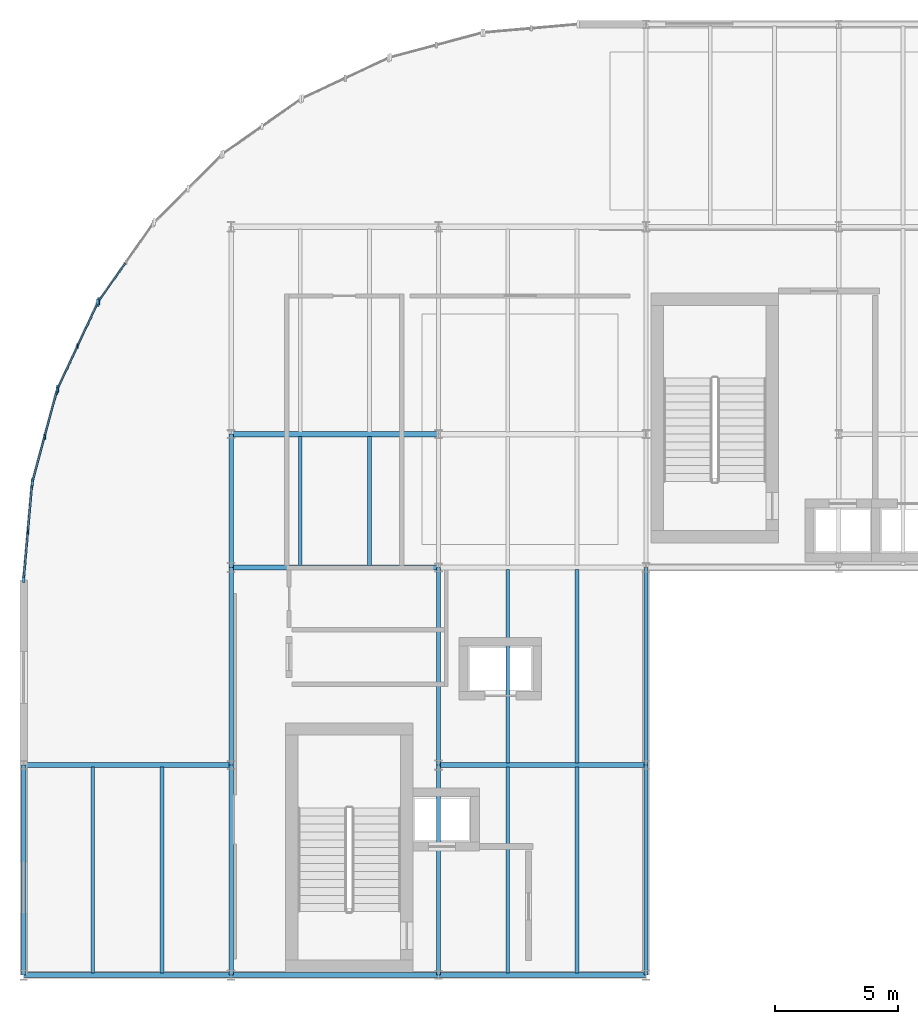
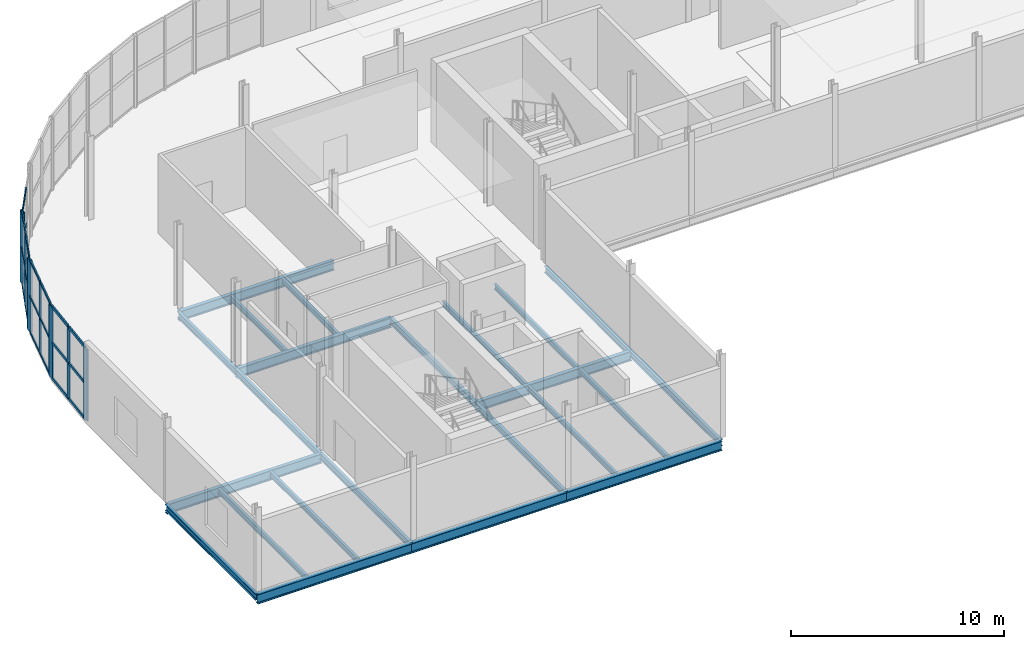
# One storey, part 4 of 15: 31 members, 23 beams, 4 elements without a shape of their own.
"""IFC4 building model written with IfcOpenShell, lengths in metres."""

from ifc_helpers import new_model, si_unit, direction, frame, origin, origin_2d, place, context, subcontext, project, spatial, rectangle, i_section, extrude, material, layer, layer_set, material_profile, profile_set, type_object, element, aggregate, save


model = new_model("IFC4")

# Units and contexts
model_context = context("Model", 3, precision=1e-05, world=origin(), true_north=direction((0.0, 1.0)))
body_context = subcontext(model_context, "Body", "Model", "MODEL_VIEW")
ifc_project = project(units=[si_unit("LENGTHUNIT", "METRE"), si_unit("AREAUNIT", "SQUARE_METRE"), si_unit("VOLUMEUNIT", "CUBIC_METRE"), si_unit("PLANEANGLEUNIT", "RADIAN"), si_unit("MASSUNIT", "GRAM", prefix="KILO")], contexts=[model_context])

# Site, building, storey
site_placement = place(None, origin())
site = spatial("IfcSite", under=ifc_project, at=site_placement, CompositionType="ELEMENT")
building_placement = place(site_placement, origin())
building = spatial("IfcBuilding", under=site, at=building_placement, Name="Sefraquen Railside Congress Hotel", CompositionType="ELEMENT")
storey_placement = place(building_placement, frame((0.0, 0.0, 46.800048828125)))
storey = spatial("IfcBuildingStorey", under=building, at=storey_placement, Name="L11", CompositionType="ELEMENT", Elevation=46.800048828125)

# Beams
ifc_material_1 = material(Name="Steel S355JR", Category="steel")
ifc_material_profile_1 = material_profile(ifc_material_1, i_section(OverallWidth=0.169921875, OverallDepth=0.360107421875, WebThickness=0.008056640625, FlangeThickness=0.0126953125, FilletRadius=0.01806640625, at=origin_2d()), Name="IPE 360")
ifc_profile_set_1 = profile_set([ifc_material_profile_1], Name="Steel S355JR")
beam_type_1 = type_object("IfcBeamType", Name="TB-BM-360", PredefinedType="BEAM", material=ifc_profile_set_1)
for number, where, z_axis, x_axis, name in (
    (1, (0.0, 79.5, -0.43994140625), (0.0, 1.0, 0.0), (-1.0, 0.0, 0.0), "Floor beam BM-L11-2194"),
    (2, (8.39990234375, 79.5, -0.43994140625), (0.0, 1.0, 0.0), (-1.0, 0.0, 0.0), "Floor beam BM-L11-2195"),
):
    element("IfcBeam", number, at=place(storey_placement, frame(where, z_axis=z_axis, x_axis=x_axis)), inside=storey, type_object=beam_type_1, Name=name, PredefinedType="BEAM", context=body_context, shape_type="SweptSolid", body=[
        extrude(i_section(OverallWidth=0.169921875, OverallDepth=0.360107421875, WebThickness=0.008056640625, FlangeThickness=0.0126953125, FilletRadius=0.01806640625, at=origin_2d()), origin(), (0.0, 0.0, 1.0), 8.5),
    ])
beam_1_placement = place(storey_placement, frame((8.39990234375, 88.0, -0.43994140625), z_axis=(0.0, 1.0, 0.0), x_axis=(-1.0, 0.0, 0.0)))
element("IfcBeam", 3, at=beam_1_placement, inside=storey, type_object=beam_type_1, Name="Floor beam BM-L11-2196", PredefinedType="BEAM", context=body_context, shape_type="SweptSolid", body=[
    extrude(i_section(OverallWidth=0.169921875, OverallDepth=0.360107421875, WebThickness=0.008056640625, FlangeThickness=0.0126953125, FilletRadius=0.01806640625, at=origin_2d()), origin(), (0.0, 0.0, 1.0), 8.0),
])
beam_2_placement = place(storey_placement, frame((8.39990234375, 96.0, -0.43994140625), z_axis=(0.0, 1.0, 0.0), x_axis=(-1.0, 0.0, 0.0)))
element("IfcBeam", 4, at=beam_2_placement, inside=storey, type_object=beam_type_1, Name="Floor beam BM-L11-2197", PredefinedType="BEAM", context=body_context, shape_type="SweptSolid", body=[
    extrude(i_section(OverallWidth=0.169921875, OverallDepth=0.360107421875, WebThickness=0.008056640625, FlangeThickness=0.0126953125, FilletRadius=0.01806640625, at=origin_2d()), origin(), (0.0, 0.0, 1.0), 5.39990234375),
])
beam_3_placement = place(storey_placement, frame((16.800048828125, 79.5, -0.43994140625), z_axis=(0.0, 1.0, 0.0), x_axis=(-1.0, 0.0, 0.0)))
element("IfcBeam", 5, at=beam_3_placement, inside=storey, type_object=beam_type_1, Name="Floor beam BM-L11-2199", PredefinedType="BEAM", context=body_context, shape_type="SweptSolid", body=[
    extrude(i_section(OverallWidth=0.169921875, OverallDepth=0.360107421875, WebThickness=0.008056640625, FlangeThickness=0.0126953125, FilletRadius=0.01806640625, at=origin_2d()), origin(), (0.0, 0.0, 1.0), 8.5),
])
beam_4_placement = place(storey_placement, frame((16.800048828125, 88.0, -0.43994140625), z_axis=(0.0, 1.0, 0.0), x_axis=(-1.0, 0.0, 0.0)))
element("IfcBeam", 6, at=beam_4_placement, inside=storey, type_object=beam_type_1, Name="Floor beam BM-L11-2200", PredefinedType="BEAM", context=body_context, shape_type="SweptSolid", body=[
    extrude(i_section(OverallWidth=0.169921875, OverallDepth=0.360107421875, WebThickness=0.008056640625, FlangeThickness=0.0126953125, FilletRadius=0.01806640625, at=origin_2d()), origin(), (0.0, 0.0, 1.0), 8.0),
])
beam_5_placement = place(storey_placement, frame((25.199951171875, 79.5, -0.43994140625), z_axis=(0.0, 1.0, 0.0), x_axis=(-1.0, 0.0, 0.0)))
element("IfcBeam", 7, at=beam_5_placement, inside=storey, type_object=beam_type_1, Name="Floor beam BM-L11-2203", PredefinedType="BEAM", context=body_context, shape_type="SweptSolid", body=[
    extrude(i_section(OverallWidth=0.169921875, OverallDepth=0.360107421875, WebThickness=0.008056640625, FlangeThickness=0.0126953125, FilletRadius=0.01806640625, at=origin_2d()), origin(), (0.0, 0.0, 1.0), 8.5),
])
beam_6_placement = place(storey_placement, frame((25.199951171875, 88.0, -0.43994140625), z_axis=(0.0, 1.0, 0.0), x_axis=(-1.0, 0.0, 0.0)))
element("IfcBeam", 8, at=beam_6_placement, inside=storey, type_object=beam_type_1, Name="Floor beam BM-L11-2204", PredefinedType="BEAM", context=body_context, shape_type="SweptSolid", body=[
    extrude(i_section(OverallWidth=0.169921875, OverallDepth=0.360107421875, WebThickness=0.008056640625, FlangeThickness=0.0126953125, FilletRadius=0.01806640625, at=origin_2d()), origin(), (0.0, 0.0, 1.0), 8.0),
])
ifc_material_profile_2 = material_profile(ifc_material_1, i_section(OverallWidth=0.2099609375, OverallDepth=0.550048828125, WebThickness=0.010986328125, FlangeThickness=0.01708984375, FilletRadius=0.02392578125, at=origin_2d()), Name="IPE 550")
ifc_profile_set_2 = profile_set([ifc_material_profile_2], Name="Steel S355JR")
beam_type_2 = type_object("IfcBeamType", Name="TB-GIR-550", PredefinedType="T_BEAM", material=ifc_profile_set_2)
beam_7_placement = place(storey_placement, frame((0.0, 79.5, -0.53515625), z_axis=(1.0, 0.0, 0.0), x_axis=(0.0, 1.0, 0.0)))
element("IfcBeam", 9, at=beam_7_placement, inside=storey, type_object=beam_type_2, Name="Primary girder BM-L11-2149", PredefinedType="T_BEAM", context=body_context, shape_type="SweptSolid", body=[
    extrude(i_section(OverallWidth=0.2099609375, OverallDepth=0.550048828125, WebThickness=0.010986328125, FlangeThickness=0.01708984375, FilletRadius=0.02392578125, at=origin_2d()), origin(), (0.0, 0.0, 1.0), 8.39990234375),
])
beam_8_placement = place(storey_placement, frame((8.39990234375, 79.5, -0.53515625), z_axis=(1.0, 0.0, 0.0), x_axis=(0.0, 1.0, 0.0)))
element("IfcBeam", 10, at=beam_8_placement, inside=storey, type_object=beam_type_2, Name="Primary girder BM-L11-2150", PredefinedType="T_BEAM", context=body_context, shape_type="SweptSolid", body=[
    extrude(i_section(OverallWidth=0.2099609375, OverallDepth=0.550048828125, WebThickness=0.010986328125, FlangeThickness=0.01708984375, FilletRadius=0.02392578125, at=origin_2d()), origin(), (0.0, 0.0, 1.0), 8.400146484375),
])
for number, where, z_axis, x_axis, name in (
    (11, (16.800048828125, 79.5, -0.53515625), (1.0, 0.0, 0.0), (0.0, 1.0, 0.0), "Primary girder BM-L11-2151"),
    (12, (0.0, 88.0, -0.53515625), (1.0, 0.0, 0.0), (0.0, 1.0, 0.0), "Primary girder BM-L11-2152"),
    (13, (16.800048828125, 88.0, -0.53515625), (1.0, 0.0, 0.0), (0.0, 1.0, 0.0), "Primary girder BM-L11-2153"),
):
    element("IfcBeam", number, at=place(storey_placement, frame(where, z_axis=z_axis, x_axis=x_axis)), inside=storey, type_object=beam_type_2, Name=name, PredefinedType="T_BEAM", context=body_context, shape_type="SweptSolid", body=[
        extrude(i_section(OverallWidth=0.2099609375, OverallDepth=0.550048828125, WebThickness=0.010986328125, FlangeThickness=0.01708984375, FilletRadius=0.02392578125, at=origin_2d()), origin(), (0.0, 0.0, 1.0), 8.39990234375),
    ])
for number, where, z_axis, x_axis, name in (
    (14, (8.39990234375, 96.0, -0.53515625), (1.0, 0.0, 0.0), (0.0, 1.0, 0.0), "Primary girder BM-L11-2154"),
    (15, (8.39990234375, 101.39990234375, -0.53515625), (1.0, 0.0, 0.0), (0.0, 1.0, 0.0), "Primary girder BM-L11-2165"),
):
    element("IfcBeam", number, at=place(storey_placement, frame(where, z_axis=z_axis, x_axis=x_axis)), inside=storey, type_object=beam_type_2, Name=name, PredefinedType="T_BEAM", context=body_context, shape_type="SweptSolid", body=[
        extrude(i_section(OverallWidth=0.2099609375, OverallDepth=0.550048828125, WebThickness=0.010986328125, FlangeThickness=0.01708984375, FilletRadius=0.02392578125, at=origin_2d()), origin(), (0.0, 0.0, 1.0), 8.400146484375),
    ])
ifc_material_profile_3 = material_profile(ifc_material_1, i_section(OverallWidth=0.14990234375, OverallDepth=0.300048828125, WebThickness=0.007080078125, FlangeThickness=0.0107421875, FilletRadius=0.014892578125, at=origin_2d()), Name="IPE 300")
ifc_profile_set_3 = profile_set([ifc_material_profile_3], Name="Steel S355JR")
beam_type_3 = type_object("IfcBeamType", Name="TB-JST-300", PredefinedType="JOIST", material=ifc_profile_set_3)
for number, where, z_axis, x_axis, name in (
    (16, (2.800048828125, 79.5849609375, -0.41015625), (0.0, 1.0, 0.0), (-1.0, 0.0, 0.0), "Composite floor joist BM-L11-J1468"),
    (17, (5.60009765625, 79.5849609375, -0.41015625), (0.0, 1.0, 0.0), (-1.0, 0.0, 0.0), "Composite floor joist BM-L11-J1469"),
):
    element("IfcBeam", number, at=place(storey_placement, frame(where, z_axis=z_axis, x_axis=x_axis)), inside=storey, type_object=beam_type_3, Name=name, PredefinedType="JOIST", context=body_context, shape_type="SweptSolid", body=[
        extrude(i_section(OverallWidth=0.14990234375, OverallDepth=0.300048828125, WebThickness=0.007080078125, FlangeThickness=0.0107421875, FilletRadius=0.014892578125, at=origin_2d()), origin(), (0.0, 0.0, 1.0), 8.330078125),
    ])
for number, where, z_axis, x_axis, name in (
    (18, (11.199951171875, 96.0849609375, -0.41015625), (0.0, 1.0, 0.0), (-1.0, 0.0, 0.0), "Composite floor joist BM-L11-J1470"),
    (19, (14.0, 96.0849609375, -0.41015625), (0.0, 1.0, 0.0), (-1.0, 0.0, 0.0), "Composite floor joist BM-L11-J1471"),
):
    element("IfcBeam", number, at=place(storey_placement, frame(where, z_axis=z_axis, x_axis=x_axis)), inside=storey, type_object=beam_type_3, Name=name, PredefinedType="JOIST", context=body_context, shape_type="SweptSolid", body=[
        extrude(i_section(OverallWidth=0.14990234375, OverallDepth=0.300048828125, WebThickness=0.007080078125, FlangeThickness=0.0107421875, FilletRadius=0.014892578125, at=origin_2d()), origin(), (0.0, 0.0, 1.0), 5.22998046875),
    ])
for number, where, z_axis, x_axis, name in (
    (20, (19.60009765625, 79.5849609375, -0.41015625), (0.0, 1.0, 0.0), (-1.0, 0.0, 0.0), "Composite floor joist BM-L11-J1474"),
    (21, (22.39990234375, 79.5849609375, -0.41015625), (0.0, 1.0, 0.0), (-1.0, 0.0, 0.0), "Composite floor joist BM-L11-J1475"),
):
    element("IfcBeam", number, at=place(storey_placement, frame(where, z_axis=z_axis, x_axis=x_axis)), inside=storey, type_object=beam_type_3, Name=name, PredefinedType="JOIST", context=body_context, shape_type="SweptSolid", body=[
        extrude(i_section(OverallWidth=0.14990234375, OverallDepth=0.300048828125, WebThickness=0.007080078125, FlangeThickness=0.0107421875, FilletRadius=0.014892578125, at=origin_2d()), origin(), (0.0, 0.0, 1.0), 8.330078125),
    ])
for number, where, z_axis, x_axis, name in (
    (22, (19.60009765625, 88.0849609375, -0.41015625), (0.0, 1.0, 0.0), (-1.0, 0.0, 0.0), "Composite floor joist BM-L11-J1476"),
    (23, (22.39990234375, 88.0849609375, -0.41015625), (0.0, 1.0, 0.0), (-1.0, 0.0, 0.0), "Composite floor joist BM-L11-J1477"),
):
    element("IfcBeam", number, at=place(storey_placement, frame(where, z_axis=z_axis, x_axis=x_axis)), inside=storey, type_object=beam_type_3, Name=name, PredefinedType="JOIST", context=body_context, shape_type="SweptSolid", body=[
        extrude(i_section(OverallWidth=0.14990234375, OverallDepth=0.300048828125, WebThickness=0.007080078125, FlangeThickness=0.0107421875, FilletRadius=0.014892578125, at=origin_2d()), origin(), (0.0, 0.0, 1.0), 7.830078125),
    ])

# Curtain wall, member
ifc_material_2 = material(Name="Thermally broken anodised aluminium and low-E double glazing", Category="aluminium")
ifc_layer_1 = layer(ifc_material_2, 0.199951171875)
ifc_layer_set_1 = layer_set([ifc_layer_1], Name="Thermally broken anodised aluminium and low-E double glazing")
curtain_wall_type_1 = type_object("IfcCurtainWallType", Name="TCW-UCW-10", PredefinedType="USERDEFINED", material=ifc_layer_set_1)
curtain_wall_1_placement = place(storey_placement, origin())
curtain_wall_1 = element("IfcCurtainWall", 24, at=curtain_wall_1_placement, inside=storey, type_object=curtain_wall_type_1, Name="Rotunda L11 curved curtain wall facet 7", ObjectType="UNITISED CURTAIN WALL", PredefinedType="USERDEFINED")
ifc_material_3 = material(Name="Thermally broken anodised aluminium 6063-T6", Category="aluminium")
ifc_material_profile_4 = material_profile(ifc_material_3, rectangle(XDim=0.06494140625, YDim=0.179931640625, at=origin_2d()), Name="CWM 65x180")
ifc_profile_set_4 = profile_set([ifc_material_profile_4], Name="Thermally broken anodised aluminium 6063-T6")
member_type_1 = type_object("IfcMemberType", Name="TM-CWM-02", PredefinedType="MULLION", material=ifc_profile_set_4)
member_1_placement = place(storey_placement, frame((2.185546875, 104.972900390625, 0.0), z_axis=(0.0, 0.0, 1.0), x_axis=(1.0, 0.0, 0.0)))
member_1 = element("IfcMember", 25, at=member_1_placement, type_object=member_type_1, Name="CW-L11-ROT-07 mullion 2", PredefinedType="MULLION", context=body_context, shape_type="SweptSolid", body=[
    extrude(rectangle(XDim=0.06494140625, YDim=0.179931640625, at=origin_2d()), origin(), (0.0, 0.0, 1.0), 4.08984375),
])

ifc_layer_2 = layer(ifc_material_2, 0.199951171875)
ifc_layer_set_2 = layer_set([ifc_layer_2], Name="Thermally broken anodised aluminium and low-E double glazing")
curtain_wall_type_2 = type_object("IfcCurtainWallType", Name="TCW-UCW-11", PredefinedType="USERDEFINED", material=ifc_layer_set_2)
curtain_wall_2_placement = place(storey_placement, origin())
curtain_wall_2 = element("IfcCurtainWall", 26, at=curtain_wall_2_placement, inside=storey, type_object=curtain_wall_type_2, Name="Rotunda L11 curved curtain wall facet 8", ObjectType="UNITISED CURTAIN WALL", PredefinedType="USERDEFINED")
ifc_material_profile_5 = material_profile(ifc_material_3, rectangle(XDim=0.070068359375, YDim=0.199951171875, at=origin_2d()), Name="CWM 70x200")
ifc_profile_set_5 = profile_set([ifc_material_profile_5], Name="Thermally broken anodised aluminium 6063-T6")
member_type_2 = type_object("IfcMemberType", Name="TM-CWM-03", PredefinedType="MULLION", material=ifc_profile_set_5)
member_2_placement = place(storey_placement, frame((0.849365234375, 101.30126953125, 0.0), z_axis=(0.0, 0.0, 1.0), x_axis=(1.0, 0.0, 0.0)))
member_2 = element("IfcMember", 27, at=member_2_placement, type_object=member_type_2, Name="CW-L11-ROT-08 mullion 2", PredefinedType="MULLION", context=body_context, shape_type="SweptSolid", body=[
    extrude(rectangle(XDim=0.070068359375, YDim=0.199951171875, at=origin_2d()), origin(), (0.0, 0.0, 1.0), 4.08984375),
])

ifc_layer_3 = layer(ifc_material_2, 0.199951171875)
ifc_layer_set_3 = layer_set([ifc_layer_3], Name="Thermally broken anodised aluminium and low-E double glazing")
curtain_wall_type_3 = type_object("IfcCurtainWallType", Name="TCW-UCW-12", PredefinedType="USERDEFINED", material=ifc_layer_set_3)
curtain_wall_3_placement = place(storey_placement, origin())
curtain_wall_3 = element("IfcCurtainWall", 28, at=curtain_wall_3_placement, inside=storey, type_object=curtain_wall_type_3, Name="Rotunda L11 curved curtain wall facet 9", ObjectType="UNITISED CURTAIN WALL", PredefinedType="USERDEFINED")
ifc_material_profile_6 = material_profile(ifc_material_3, rectangle(XDim=0.074951171875, YDim=0.219970703125, at=origin_2d()), Name="CWM 75x220")
ifc_profile_set_6 = profile_set([ifc_material_profile_6], Name="Thermally broken anodised aluminium 6063-T6")
member_type_3 = type_object("IfcMemberType", Name="TM-CWM-04", PredefinedType="MULLION", material=ifc_profile_set_6)
member_3_placement = place(storey_placement, frame((0.1708984375, 97.45361328125, 0.0), z_axis=(0.0, 0.0, 1.0), x_axis=(1.0, 0.0, 0.0)))
member_3 = element("IfcMember", 29, at=member_3_placement, type_object=member_type_3, Name="CW-L11-ROT-09 mullion 2", PredefinedType="MULLION", context=body_context, shape_type="SweptSolid", body=[
    extrude(rectangle(XDim=0.074951171875, YDim=0.219970703125, at=origin_2d()), origin(), (0.0, 0.0, 1.0), 4.08984375),
])

ifc_layer_4 = layer(ifc_material_2, 0.199951171875)
ifc_layer_set_4 = layer_set([ifc_layer_4], Name="Thermally broken anodised aluminium and low-E double glazing")
curtain_wall_type_4 = type_object("IfcCurtainWallType", Name="TCW-UCW-09", PredefinedType="USERDEFINED", material=ifc_layer_set_4)
curtain_wall_4_placement = place(storey_placement, origin())
curtain_wall_4 = element("IfcCurtainWall", 30, at=curtain_wall_4_placement, inside=storey, type_object=curtain_wall_type_4, Name="Rotunda L11 curved curtain wall facet 6", ObjectType="UNITISED CURTAIN WALL", PredefinedType="USERDEFINED")
ifc_material_profile_7 = material_profile(ifc_material_3, rectangle(XDim=0.094970703125, YDim=0.300048828125, at=origin_2d()), Name="CWM 95x300")
ifc_profile_set_7 = profile_set([ifc_material_profile_7], Name="Thermally broken anodised aluminium 6063-T6")
member_type_4 = type_object("IfcMemberType", Name="TM-CWM-08", PredefinedType="MULLION", material=ifc_profile_set_7)
member_4_placement = place(storey_placement, frame((3.037353515625, 106.78271484375, 0.0), z_axis=(0.0, 0.0, 1.0), x_axis=(1.0, 0.0, 0.0)))
member_4 = element("IfcMember", 31, at=member_4_placement, type_object=member_type_4, Name="CW-L11-ROT-06 mullion 3", PredefinedType="MULLION", context=body_context, shape_type="SweptSolid", body=[
    extrude(rectangle(XDim=0.094970703125, YDim=0.300048828125, at=origin_2d()), origin(), (0.0, 0.0, 1.0), 4.08984375),
])

# Member
member_5_placement = place(storey_placement, frame((2.99755859375, 106.713623046875, 0.0), z_axis=(0.0, 0.0, 1.0), x_axis=(1.0, 0.0, 0.0)))
member_5 = element("IfcMember", 32, at=member_5_placement, type_object=member_type_4, Name="CW-L11-ROT-07 mullion 1", PredefinedType="MULLION", context=body_context, shape_type="SweptSolid", body=[
    extrude(rectangle(XDim=0.094970703125, YDim=0.300048828125, at=origin_2d()), origin(), (0.0, 0.0, 1.0), 4.08984375),
])

member_6_placement = place(storey_placement, frame((1.373779296875, 103.231689453125, 0.0), z_axis=(0.0, 0.0, 1.0), x_axis=(1.0, 0.0, 0.0)))
member_6 = element("IfcMember", 33, at=member_6_placement, type_object=member_type_4, Name="CW-L11-ROT-07 mullion 3", PredefinedType="MULLION", context=body_context, shape_type="SweptSolid", body=[
    extrude(rectangle(XDim=0.094970703125, YDim=0.300048828125, at=origin_2d()), origin(), (0.0, 0.0, 1.0), 4.08984375),
])

member_7_placement = place(storey_placement, frame((1.346435546875, 103.156982421875, 0.0), z_axis=(0.0, 0.0, 1.0), x_axis=(1.0, 0.0, 0.0)))
member_7 = element("IfcMember", 34, at=member_7_placement, type_object=member_type_4, Name="CW-L11-ROT-08 mullion 1", PredefinedType="MULLION", context=body_context, shape_type="SweptSolid", body=[
    extrude(rectangle(XDim=0.094970703125, YDim=0.300048828125, at=origin_2d()), origin(), (0.0, 0.0, 1.0), 4.08984375),
])

member_8_placement = place(storey_placement, frame((0.352294921875, 99.44580078125, 0.0), z_axis=(0.0, 0.0, 1.0), x_axis=(1.0, 0.0, 0.0)))
member_8 = element("IfcMember", 35, at=member_8_placement, type_object=member_type_4, Name="CW-L11-ROT-08 mullion 3", PredefinedType="MULLION", context=body_context, shape_type="SweptSolid", body=[
    extrude(rectangle(XDim=0.094970703125, YDim=0.300048828125, at=origin_2d()), origin(), (0.0, 0.0, 1.0), 4.08984375),
])

member_9_placement = place(storey_placement, frame((0.33837890625, 99.3671875, 0.0), z_axis=(0.0, 0.0, 1.0), x_axis=(1.0, 0.0, 0.0)))
member_9 = element("IfcMember", 36, at=member_9_placement, type_object=member_type_4, Name="CW-L11-ROT-09 mullion 1", PredefinedType="MULLION", context=body_context, shape_type="SweptSolid", body=[
    extrude(rectangle(XDim=0.094970703125, YDim=0.300048828125, at=origin_2d()), origin(), (0.0, 0.0, 1.0), 4.08984375),
])

member_10_placement = place(storey_placement, frame((0.00341796875, 95.539794921875, 0.0), z_axis=(0.0, 0.0, 1.0), x_axis=(1.0, 0.0, 0.0)))
member_10 = element("IfcMember", 37, at=member_10_placement, type_object=member_type_4, Name="CW-L11-ROT-09 mullion 3", PredefinedType="MULLION", context=body_context, shape_type="SweptSolid", body=[
    extrude(rectangle(XDim=0.094970703125, YDim=0.300048828125, at=origin_2d()), origin(), (0.0, 0.0, 1.0), 4.08984375),
])

ifc_material_profile_8 = material_profile(ifc_material_3, rectangle(XDim=0.06005859375, YDim=0.1201171875, at=origin_2d()), Name="CWT 60x120")
ifc_profile_set_8 = profile_set([ifc_material_profile_8], Name="Thermally broken anodised aluminium 6063-T6")
member_type_5 = type_object("IfcMemberType", Name="TM-CWT-01", PredefinedType="USERDEFINED", material=ifc_profile_set_8)
member_11_placement = place(storey_placement, frame((4.11328125, 108.319580078125, 0.0), z_axis=(-0.573480241742, -0.819219392063, 0.0), x_axis=(0.819219392063, -0.573480241742, 0.0)))
member_11 = element("IfcMember", 38, at=member_11_placement, type_object=member_type_5, Name="CW-L11-ROT-06 transom 1.2", ObjectType="TRANSOM", PredefinedType="USERDEFINED", context=body_context, shape_type="SweptSolid", body=[
    extrude(rectangle(XDim=0.06005859375, YDim=0.1201171875, at=origin_2d()), origin(), (0.0, 0.0, 1.0), 1.8310546875),
])

member_12_placement = place(storey_placement, frame((4.11328125, 108.319580078125, 2.044921875), z_axis=(-0.573480241742, -0.819219392063, 0.0), x_axis=(0.819219392063, -0.573480241742, 0.0)))
member_12 = element("IfcMember", 39, at=member_12_placement, type_object=member_type_5, Name="CW-L11-ROT-06 transom 2.2", ObjectType="TRANSOM", PredefinedType="USERDEFINED", context=body_context, shape_type="SweptSolid", body=[
    extrude(rectangle(XDim=0.06005859375, YDim=0.1201171875, at=origin_2d()), origin(), (0.0, 0.0, 1.0), 1.8310546875),
])

member_13_placement = place(storey_placement, frame((4.11328125, 108.319580078125, 4.08984375), z_axis=(-0.573480241742, -0.819219392063, 0.0), x_axis=(0.819219392063, -0.573480241742, 0.0)))
member_13 = element("IfcMember", 40, at=member_13_placement, type_object=member_type_5, Name="CW-L11-ROT-06 transom 3.2", ObjectType="TRANSOM", PredefinedType="USERDEFINED", context=body_context, shape_type="SweptSolid", body=[
    extrude(rectangle(XDim=0.06005859375, YDim=0.1201171875, at=origin_2d()), origin(), (0.0, 0.0, 1.0), 1.8310546875),
])

aggregate(curtain_wall_4, [member_4, member_11, member_12, member_13])

ifc_material_profile_9 = material_profile(ifc_material_3, rectangle(XDim=0.06494140625, YDim=0.135009765625, at=origin_2d()), Name="CWT 65x135")
ifc_profile_set_9 = profile_set([ifc_material_profile_9], Name="Thermally broken anodised aluminium 6063-T6")
member_type_6 = type_object("IfcMemberType", Name="TM-CWT-02", PredefinedType="USERDEFINED", material=ifc_profile_set_9)
member_14_placement = place(storey_placement, frame((2.978515625, 106.6728515625, 0.0), z_axis=(-0.422673771403, -0.906281900386, 0.0), x_axis=(0.906281900386, -0.422673771403, 0.0)))
member_14 = element("IfcMember", 41, at=member_14_placement, type_object=member_type_6, Name="CW-L11-ROT-07 transom 1.1", ObjectType="TRANSOM", PredefinedType="USERDEFINED", context=body_context, shape_type="SweptSolid", body=[
    extrude(rectangle(XDim=0.06494140625, YDim=0.135009765625, at=origin_2d()), origin(), (0.0, 0.0, 1.0), 1.8310546875),
])

member_15_placement = place(storey_placement, frame((2.166748046875, 104.931884765625, 0.0), z_axis=(-0.422724852641, -0.906258075252, 0.0), x_axis=(0.906258075252, -0.422724852641, 0.0)))
member_15 = element("IfcMember", 42, at=member_15_placement, type_object=member_type_6, Name="CW-L11-ROT-07 transom 1.2", ObjectType="TRANSOM", PredefinedType="USERDEFINED", context=body_context, shape_type="SweptSolid", body=[
    extrude(rectangle(XDim=0.06494140625, YDim=0.135009765625, at=origin_2d()), origin(), (0.0, 0.0, 1.0), 1.830810546875),
])

member_16_placement = place(storey_placement, frame((2.978515625, 106.6728515625, 2.044921875), z_axis=(-0.422673771403, -0.906281900386, 0.0), x_axis=(0.906281900386, -0.422673771403, 0.0)))
member_16 = element("IfcMember", 43, at=member_16_placement, type_object=member_type_6, Name="CW-L11-ROT-07 transom 2.1", ObjectType="TRANSOM", PredefinedType="USERDEFINED", context=body_context, shape_type="SweptSolid", body=[
    extrude(rectangle(XDim=0.06494140625, YDim=0.135009765625, at=origin_2d()), origin(), (0.0, 0.0, 1.0), 1.8310546875),
])

member_17_placement = place(storey_placement, frame((2.166748046875, 104.931884765625, 2.044921875), z_axis=(-0.422724852641, -0.906258075252, 0.0), x_axis=(0.906258075252, -0.422724852641, 0.0)))
member_17 = element("IfcMember", 44, at=member_17_placement, type_object=member_type_6, Name="CW-L11-ROT-07 transom 2.2", ObjectType="TRANSOM", PredefinedType="USERDEFINED", context=body_context, shape_type="SweptSolid", body=[
    extrude(rectangle(XDim=0.06494140625, YDim=0.135009765625, at=origin_2d()), origin(), (0.0, 0.0, 1.0), 1.830810546875),
])

member_18_placement = place(storey_placement, frame((2.978515625, 106.6728515625, 4.08984375), z_axis=(-0.422673771403, -0.906281900386, 0.0), x_axis=(0.906281900386, -0.422673771403, 0.0)))
member_18 = element("IfcMember", 45, at=member_18_placement, type_object=member_type_6, Name="CW-L11-ROT-07 transom 3.1", ObjectType="TRANSOM", PredefinedType="USERDEFINED", context=body_context, shape_type="SweptSolid", body=[
    extrude(rectangle(XDim=0.06494140625, YDim=0.135009765625, at=origin_2d()), origin(), (0.0, 0.0, 1.0), 1.8310546875),
])

member_19_placement = place(storey_placement, frame((2.166748046875, 104.931884765625, 4.08984375), z_axis=(-0.422724852641, -0.906258075252, 0.0), x_axis=(0.906258075252, -0.422724852641, 0.0)))
member_19 = element("IfcMember", 46, at=member_19_placement, type_object=member_type_6, Name="CW-L11-ROT-07 transom 3.2", ObjectType="TRANSOM", PredefinedType="USERDEFINED", context=body_context, shape_type="SweptSolid", body=[
    extrude(rectangle(XDim=0.06494140625, YDim=0.135009765625, at=origin_2d()), origin(), (0.0, 0.0, 1.0), 1.830810546875),
])

aggregate(curtain_wall_1, [member_5, member_1, member_6, member_14, member_15, member_16, member_17, member_18, member_19])

ifc_material_profile_10 = material_profile(ifc_material_3, rectangle(XDim=0.070068359375, YDim=0.14990234375, at=origin_2d()), Name="CWT 70x150")
ifc_profile_set_10 = profile_set([ifc_material_profile_10], Name="Thermally broken anodised aluminium 6063-T6")
member_type_7 = type_object("IfcMemberType", Name="TM-CWT-03", PredefinedType="USERDEFINED", material=ifc_profile_set_10)
member_20_placement = place(storey_placement, frame((1.3349609375, 103.11328125, 0.0), z_axis=(-0.25894046868, -0.965893282759, 0.0), x_axis=(0.965893282759, -0.25894046868, 0.0)))
member_20 = element("IfcMember", 47, at=member_20_placement, type_object=member_type_7, Name="CW-L11-ROT-08 transom 1.1", ObjectType="TRANSOM", PredefinedType="USERDEFINED", context=body_context, shape_type="SweptSolid", body=[
    extrude(rectangle(XDim=0.070068359375, YDim=0.14990234375, at=origin_2d()), origin(), (0.0, 0.0, 1.0), 1.8310546875),
])

member_21_placement = place(storey_placement, frame((0.837646484375, 101.2578125, 0.0), z_axis=(-0.258816065499, -0.965926624666, 0.0), x_axis=(0.965926624666, -0.258816065499, 0.0)))
member_21 = element("IfcMember", 48, at=member_21_placement, type_object=member_type_7, Name="CW-L11-ROT-08 transom 1.2", ObjectType="TRANSOM", PredefinedType="USERDEFINED", context=body_context, shape_type="SweptSolid", body=[
    extrude(rectangle(XDim=0.070068359375, YDim=0.14990234375, at=origin_2d()), origin(), (0.0, 0.0, 1.0), 1.8310546875),
])

member_22_placement = place(storey_placement, frame((1.3349609375, 103.11328125, 2.044921875), z_axis=(-0.25894046868, -0.965893282759, 0.0), x_axis=(0.965893282759, -0.25894046868, 0.0)))
member_22 = element("IfcMember", 49, at=member_22_placement, type_object=member_type_7, Name="CW-L11-ROT-08 transom 2.1", ObjectType="TRANSOM", PredefinedType="USERDEFINED", context=body_context, shape_type="SweptSolid", body=[
    extrude(rectangle(XDim=0.070068359375, YDim=0.14990234375, at=origin_2d()), origin(), (0.0, 0.0, 1.0), 1.8310546875),
])

member_23_placement = place(storey_placement, frame((0.837646484375, 101.2578125, 2.044921875), z_axis=(-0.258816065499, -0.965926624666, 0.0), x_axis=(0.965926624666, -0.258816065499, 0.0)))
member_23 = element("IfcMember", 50, at=member_23_placement, type_object=member_type_7, Name="CW-L11-ROT-08 transom 2.2", ObjectType="TRANSOM", PredefinedType="USERDEFINED", context=body_context, shape_type="SweptSolid", body=[
    extrude(rectangle(XDim=0.070068359375, YDim=0.14990234375, at=origin_2d()), origin(), (0.0, 0.0, 1.0), 1.8310546875),
])

member_24_placement = place(storey_placement, frame((1.3349609375, 103.11328125, 4.08984375), z_axis=(-0.25894046868, -0.965893282759, 0.0), x_axis=(0.965893282759, -0.25894046868, 0.0)))
member_24 = element("IfcMember", 51, at=member_24_placement, type_object=member_type_7, Name="CW-L11-ROT-08 transom 3.1", ObjectType="TRANSOM", PredefinedType="USERDEFINED", context=body_context, shape_type="SweptSolid", body=[
    extrude(rectangle(XDim=0.070068359375, YDim=0.14990234375, at=origin_2d()), origin(), (0.0, 0.0, 1.0), 1.8310546875),
])

member_25_placement = place(storey_placement, frame((0.837646484375, 101.2578125, 4.08984375), z_axis=(-0.258816065499, -0.965926624666, 0.0), x_axis=(0.965926624666, -0.258816065499, 0.0)))
member_25 = element("IfcMember", 52, at=member_25_placement, type_object=member_type_7, Name="CW-L11-ROT-08 transom 3.2", ObjectType="TRANSOM", PredefinedType="USERDEFINED", context=body_context, shape_type="SweptSolid", body=[
    extrude(rectangle(XDim=0.070068359375, YDim=0.14990234375, at=origin_2d()), origin(), (0.0, 0.0, 1.0), 1.8310546875),
])

aggregate(curtain_wall_2, [member_7, member_2, member_8, member_20, member_21, member_22, member_23, member_24, member_25])

ifc_material_profile_11 = material_profile(ifc_material_3, rectangle(XDim=0.074951171875, YDim=0.1650390625, at=origin_2d()), Name="CWT 75x165")
ifc_profile_set_11 = profile_set([ifc_material_profile_11], Name="Thermally broken anodised aluminium 6063-T6")
member_type_8 = type_object("IfcMemberType", Name="TM-CWT-04", PredefinedType="USERDEFINED", material=ifc_profile_set_11)
member_26_placement = place(storey_placement, frame((0.33447265625, 99.322509765625, 0.0), z_axis=(-0.087193412302, -0.996191401715, 0.0), x_axis=(0.996191401715, -0.087193412302, 0.0)))
member_26 = element("IfcMember", 53, at=member_26_placement, type_object=member_type_8, Name="CW-L11-ROT-09 transom 1.1", ObjectType="TRANSOM", PredefinedType="USERDEFINED", context=body_context, shape_type="SweptSolid", body=[
    extrude(rectangle(XDim=0.074951171875, YDim=0.1650390625, at=origin_2d()), origin(), (0.0, 0.0, 1.0), 1.831298828125),
])

member_27_placement = place(storey_placement, frame((0.1669921875, 97.40869140625, 0.0), z_axis=(-0.08720499447, -0.996190387898, 0.0), x_axis=(0.996190387898, -0.08720499447, 0.0)))
member_27 = element("IfcMember", 54, at=member_27_placement, type_object=member_type_8, Name="CW-L11-ROT-09 transom 1.2", ObjectType="TRANSOM", PredefinedType="USERDEFINED", context=body_context, shape_type="SweptSolid", body=[
    extrude(rectangle(XDim=0.074951171875, YDim=0.1650390625, at=origin_2d()), origin(), (0.0, 0.0, 1.0), 1.8310546875),
])

member_28_placement = place(storey_placement, frame((0.33447265625, 99.322509765625, 2.044921875), z_axis=(-0.087193412302, -0.996191401715, 0.0), x_axis=(0.996191401715, -0.087193412302, 0.0)))
member_28 = element("IfcMember", 55, at=member_28_placement, type_object=member_type_8, Name="CW-L11-ROT-09 transom 2.1", ObjectType="TRANSOM", PredefinedType="USERDEFINED", context=body_context, shape_type="SweptSolid", body=[
    extrude(rectangle(XDim=0.074951171875, YDim=0.1650390625, at=origin_2d()), origin(), (0.0, 0.0, 1.0), 1.831298828125),
])

member_29_placement = place(storey_placement, frame((0.1669921875, 97.40869140625, 2.044921875), z_axis=(-0.08720499447, -0.996190387898, 0.0), x_axis=(0.996190387898, -0.08720499447, 0.0)))
member_29 = element("IfcMember", 56, at=member_29_placement, type_object=member_type_8, Name="CW-L11-ROT-09 transom 2.2", ObjectType="TRANSOM", PredefinedType="USERDEFINED", context=body_context, shape_type="SweptSolid", body=[
    extrude(rectangle(XDim=0.074951171875, YDim=0.1650390625, at=origin_2d()), origin(), (0.0, 0.0, 1.0), 1.8310546875),
])

member_30_placement = place(storey_placement, frame((0.33447265625, 99.322509765625, 4.08984375), z_axis=(-0.087193412302, -0.996191401715, 0.0), x_axis=(0.996191401715, -0.087193412302, 0.0)))
member_30 = element("IfcMember", 57, at=member_30_placement, type_object=member_type_8, Name="CW-L11-ROT-09 transom 3.1", ObjectType="TRANSOM", PredefinedType="USERDEFINED", context=body_context, shape_type="SweptSolid", body=[
    extrude(rectangle(XDim=0.074951171875, YDim=0.1650390625, at=origin_2d()), origin(), (0.0, 0.0, 1.0), 1.831298828125),
])

member_31_placement = place(storey_placement, frame((0.1669921875, 97.40869140625, 4.08984375), z_axis=(-0.08720499447, -0.996190387898, 0.0), x_axis=(0.996190387898, -0.08720499447, 0.0)))
member_31 = element("IfcMember", 58, at=member_31_placement, type_object=member_type_8, Name="CW-L11-ROT-09 transom 3.2", ObjectType="TRANSOM", PredefinedType="USERDEFINED", context=body_context, shape_type="SweptSolid", body=[
    extrude(rectangle(XDim=0.074951171875, YDim=0.1650390625, at=origin_2d()), origin(), (0.0, 0.0, 1.0), 1.8310546875),
])

aggregate(curtain_wall_3, [member_9, member_3, member_10, member_26, member_27, member_28, member_29, member_30, member_31])

save(model, "model.ifc")
